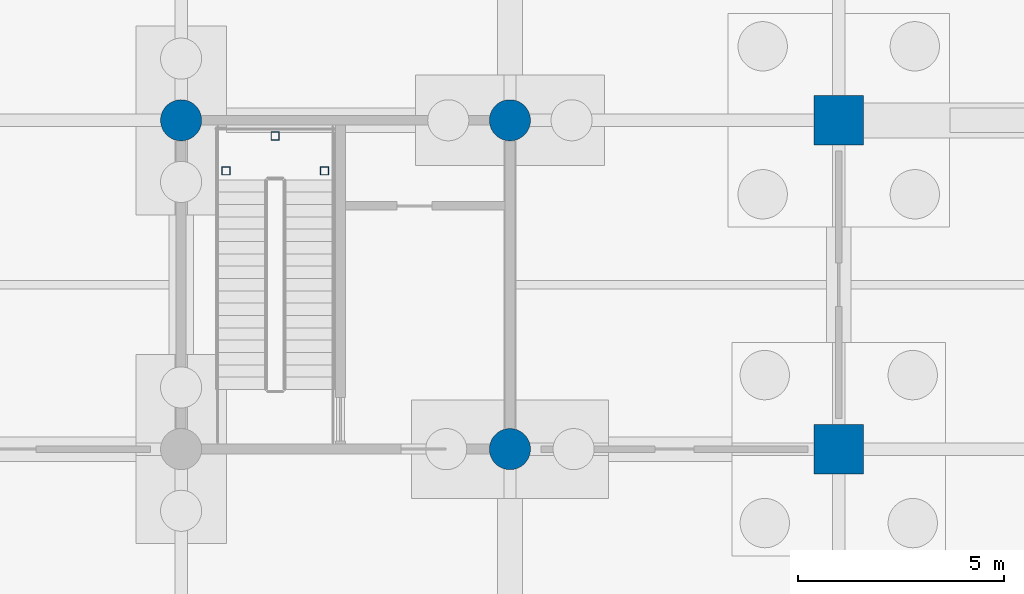
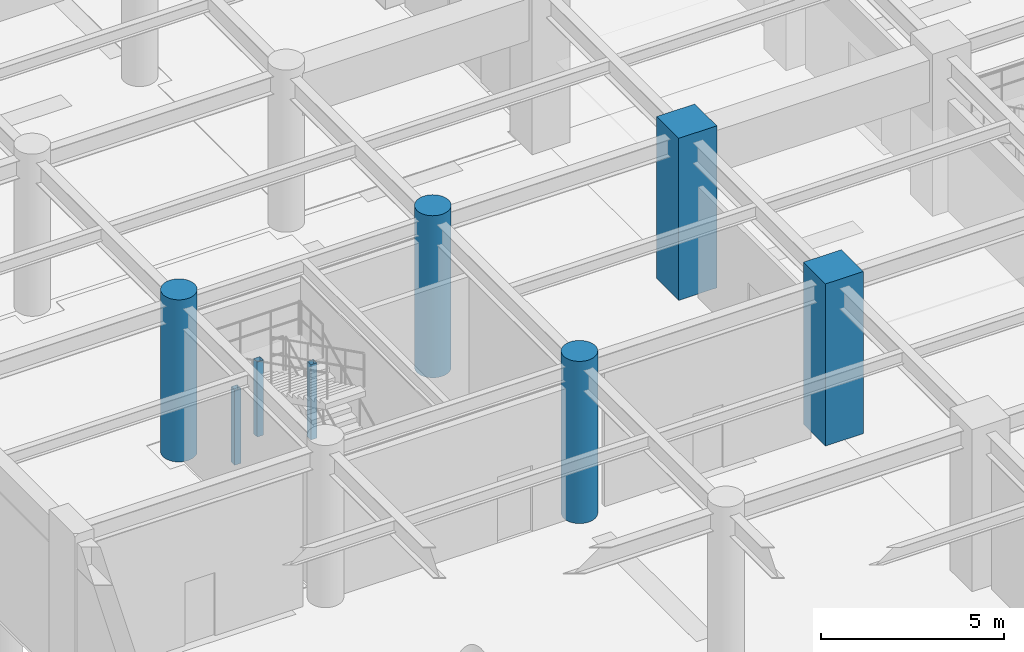
# One storey, part 30 of 97: 8 columns.
"""IFC4 building model written with IfcOpenShell, lengths in metres."""

import ifcopenshell
import ifcopenshell.guid

model = None  # the IFC model being written
_history = None  # IfcOwnerHistory: only IFC2X3 demands one
_inside = {}  # id of a spatial element -> (the spatial element, [elements in it])
_under = {}  # id of a project, library or spatial element -> (it, [spatial elements below it])
_declared = {}  # id of a project -> (the project, [libraries it declares])
_typed = {}  # id of a type object -> (the type object, [elements of that type])
_made_of = {}  # id of a material, layer set ... -> (it, [elements and type objects made of it])


def new_model(schema):
    """Start an empty IFC model of exactly this schema.

    Asked for "IFC4X3", IfcOpenShell would pick the latest addendum, in which some entities
    have other attributes; the version numbers below select the first issue.
    IFC2X3 requires an IfcOwnerHistory on every rooted entity: one is made here for all.
    """
    global model, _history
    if schema == "IFC4X3":
        model = ifcopenshell.file(schema_version=(4, 3, 0, 0))
    else:
        model = ifcopenshell.file(schema=schema)
    _inside.clear()
    _under.clear()
    _declared.clear()
    _typed.clear()
    _made_of.clear()
    _history = None
    if model.schema == "IFC2X3":
        org = make("IfcOrganization", Name="unknown")
        user = make(
            "IfcPersonAndOrganization",
            ThePerson=make("IfcPerson", FamilyName="unknown"),
            TheOrganization=org,
        )
        app = make(
            "IfcApplication",
            ApplicationDeveloper=org,
            Version="unknown",
            ApplicationFullName="unknown",
            ApplicationIdentifier="unknown",
        )
        _history = make(
            "IfcOwnerHistory",
            OwningUser=user,
            OwningApplication=app,
            ChangeAction="ADDED",
            CreationDate=0,
        )
    return model


def make(cls, **values):
    """One entity of the class cls with the attributes given. An attribute that is None is left unset."""
    return model.create_entity(
        cls, **{name: value for name, value in values.items() if value is not None}
    )


def rooted(cls, **values):
    """An entity with a GlobalId (a new one), such as an element, a storey or a relation."""
    return make(cls, GlobalId=ifcopenshell.guid.new(), OwnerHistory=_history, **values)


def si_unit(unit_type, name, prefix=None):
    """IfcSIUnit, for example si_unit("LENGTHUNIT", "METRE", prefix="MILLI")."""
    return make("IfcSIUnit", UnitType=unit_type, Prefix=prefix, Name=name)


def assignment(units):
    """IfcUnitAssignment: the units of a project."""
    return None if units is None else make("IfcUnitAssignment", Units=units)


def point(xyz):
    """IfcCartesianPoint."""
    return None if xyz is None else make("IfcCartesianPoint", Coordinates=xyz)


def direction(xyz):
    """IfcDirection."""
    return None if xyz is None else make("IfcDirection", DirectionRatios=xyz)


def frame(location, z_axis=None, x_axis=None):
    """IfcAxis2Placement3D, a coordinate frame: its origin and axes. An axis left out is left unset."""
    return make(
        "IfcAxis2Placement3D",
        Location=point(location),
        Axis=direction(z_axis),
        RefDirection=direction(x_axis),
    )


def frame_2d(location, x_axis=None):
    """IfcAxis2Placement2D, a coordinate frame in the plane: its origin and x axis."""
    return make(
        "IfcAxis2Placement2D", Location=point(location), RefDirection=direction(x_axis)
    )


def origin():
    """The frame at (0, 0, 0) with its axes left unset."""
    return frame((0.0, 0.0, 0.0))


def origin_2d():
    """The frame at (0, 0) in the plane with its x axis left unset."""
    return frame_2d((0.0, 0.0))


def place(relative_to, where):
    """IfcLocalPlacement: puts the frame where relative to a parent placement (None: the world)."""
    return make(
        "IfcLocalPlacement", PlacementRelTo=relative_to, RelativePlacement=where
    )


def context(
    kind, dimensions, precision=None, world=None, true_north=None, identifier=None
):
    """IfcGeometricRepresentationContext, for example the 3D "Model" context."""
    return make(
        "IfcGeometricRepresentationContext",
        ContextIdentifier=identifier,
        ContextType=kind,
        CoordinateSpaceDimension=dimensions,
        Precision=precision,
        WorldCoordinateSystem=world,
        TrueNorth=true_north,
    )


def subcontext(parent, identifier, kind, view, scale=None):
    """IfcGeometricRepresentationSubContext, for example "Body" below "Model"."""
    return make(
        "IfcGeometricRepresentationSubContext",
        ContextIdentifier=identifier,
        ContextType=kind,
        ParentContext=parent,
        TargetScale=scale,
        TargetView=view,
    )


def project(units=None, contexts=None):
    """IfcProject with its units and contexts."""
    return rooted(
        "IfcProject",
        Name="project",
        RepresentationContexts=contexts,
        UnitsInContext=assignment(units),
    )


def spatial(cls, under=None, at=None, **own):
    """A site, building, storey or space (cls), placed at a placement, below another one or the project."""
    s = rooted(cls, ObjectPlacement=at, **own)
    if under is not None:
        _under.setdefault(under.id(), (under, []))[1].append(s)
    return s


def profile(cls, at=None, kind="AREA", **sizes):
    """A parametric profile (cls). Its sizes go by their IFC names, for example OverallWidth=200.0."""
    return make(cls, ProfileType=kind, Position=at, **sizes)


def rectangle(**sizes):
    """IfcRectangleProfileDef."""
    return profile("IfcRectangleProfileDef", **sizes)


def hollow_rectangle(**sizes):
    """IfcRectangleHollowProfileDef."""
    return profile("IfcRectangleHollowProfileDef", **sizes)


def circle(**sizes):
    """IfcCircleProfileDef."""
    return profile("IfcCircleProfileDef", **sizes)


def extrude(swept, where, along, depth):
    """IfcExtrudedAreaSolid: the profile swept, set in the frame where, extruded along a direction by depth."""
    return make(
        "IfcExtrudedAreaSolid",
        SweptArea=swept,
        Position=where,
        ExtrudedDirection=direction(along),
        Depth=depth,
    )


def shape(context_of_items, identifier, shape_type, items):
    """IfcShapeRepresentation: the items that make up one representation, for example the "Body"."""
    return make(
        "IfcShapeRepresentation",
        ContextOfItems=context_of_items,
        RepresentationIdentifier=identifier,
        RepresentationType=shape_type,
        Items=items,
    )


def material(Name=None, Category=None):
    """IfcMaterial."""
    return make("IfcMaterial", Name=Name, Category=Category)


def material_profile(
    of_material, cross_section, Name=None, Category=None, Priority=None
):
    """IfcMaterialProfile: a cross section and its material."""
    return make(
        "IfcMaterialProfile",
        Name=Name,
        Material=of_material,
        Profile=cross_section,
        Priority=Priority,
        Category=Category,
    )


def profile_set(profiles, Name=None, composite=None):
    """IfcMaterialProfileSet."""
    return make(
        "IfcMaterialProfileSet",
        Name=Name,
        MaterialProfiles=profiles,
        CompositeProfile=composite,
    )


def made_of(thing, what):
    """Note that an element or type object is made of a material, layer set ...; save() writes the relation."""
    if what is not None:
        _made_of.setdefault(what.id(), (what, []))[1].append(thing)
    return thing


def type_object(cls, material=None, **own):
    """A type object (cls), such as IfcWallType, which elements share."""
    return made_of(rooted(cls, **own), material)


def element(
    cls,
    number,
    at=None,
    inside=None,
    cuts=None,
    type_object=None,
    material=None,
    context=None,
    identifier="Body",
    shape_type=None,
    held_by="IfcProductDefinitionShape",
    body=None,
    shapes=None,
    **own,
):
    """One element of the class cls, such as IfcWall. Its Tag is "e" and its number.

    at: its placement. inside: the storey or other place that contains it. cuts: it is an
    opening in that element (IfcRelVoidsElement). A single representation is given by context,
    identifier, shape_type and body (its items); several are given by shapes. held_by: the class
    of the entity that holds the representations. save() writes the other relations.
    """
    e = rooted(cls, Tag="e%d" % number, ObjectPlacement=at, **own)
    if body is not None:
        shapes = [shape(context, identifier, shape_type, body)]
    if shapes is not None:
        e.Representation = make(held_by, Representations=shapes)
    if inside is not None:
        _inside.setdefault(inside.id(), (inside, []))[1].append(e)
    if cuts is not None:
        rooted(
            "IfcRelVoidsElement", RelatingBuildingElement=cuts, RelatedOpeningElement=e
        )
    if type_object is not None:
        _typed.setdefault(type_object.id(), (type_object, []))[1].append(e)
    return made_of(e, material)


def aggregate(whole, parts):
    """IfcRelAggregates: a whole, such as a stair, and the parts it consists of."""
    return rooted("IfcRelAggregates", RelatingObject=whole, RelatedObjects=parts)


def save(model, path):
    """Write the relations noted so far, then the file.

    IfcRelAggregates (storeys below a building ...), IfcRelContainedInSpatialStructure (elements
    in a storey), IfcRelDefinesByType, IfcRelAssociatesMaterial and IfcRelDeclares: one each for
    every whole, place, type object, material and project.
    """
    for whole, parts in _under.values():
        aggregate(whole, parts)
    for where, things in _inside.values():
        rooted(
            "IfcRelContainedInSpatialStructure",
            RelatedElements=things,
            RelatingStructure=where,
        )
    for kind, things in _typed.values():
        rooted("IfcRelDefinesByType", RelatedObjects=things, RelatingType=kind)
    for what, things in _made_of.values():
        rooted("IfcRelAssociatesMaterial", RelatedObjects=things, RelatingMaterial=what)
    for by, libraries in _declared.values():
        rooted("IfcRelDeclares", RelatingContext=by, RelatedDefinitions=libraries)
    model.write(path)


model = new_model("IFC4")

# Units and contexts
model_context = context("Model", 3, precision=1e-05, world=origin(), true_north=direction((0.0, 1.0)))
body_context = subcontext(model_context, "Body", "Model", "MODEL_VIEW")
ifc_project = project(units=[si_unit("LENGTHUNIT", "METRE"), si_unit("AREAUNIT", "SQUARE_METRE"), si_unit("VOLUMEUNIT", "CUBIC_METRE"), si_unit("PLANEANGLEUNIT", "RADIAN"), si_unit("MASSUNIT", "GRAM", prefix="KILO")], contexts=[model_context])

# Site, building, storey
site_placement = place(None, origin())
site = spatial("IfcSite", under=ifc_project, at=site_placement, CompositionType="ELEMENT")
building_placement = place(site_placement, origin())
building = spatial("IfcBuilding", under=site, at=building_placement, Name="Haebicheon Civic Stadium", CompositionType="ELEMENT")
storey_placement = place(building_placement, frame((0.0, 0.0, -5.39990234375)))
storey = spatial("IfcBuildingStorey", under=building, at=storey_placement, Name="B1", CompositionType="ELEMENT", Elevation=-5.39990234375)

# Columns
ifc_material_1 = material(Name="Concrete C40/50", Category="concrete")
ifc_material_profile_1 = material_profile(ifc_material_1, rectangle(XDim=1.199951171875, YDim=1.199951171875, at=origin_2d()), Name="RC-COL-1200x1200")
ifc_profile_set_1 = profile_set([ifc_material_profile_1], Name="Concrete C40/50")
column_type_1 = type_object("IfcColumnType", Name="COL-RC-1200", PredefinedType="COLUMN", material=ifc_profile_set_1)
for number, where, z_axis, x_axis, name in (
    (1, (24.0, 80.0, 0.0), (0.0, 0.0, 1.0), (1.0, 0.0, 0.0), "B1 column 4/L"),
    (2, (24.0, 88.0, 0.0), (0.0, 0.0, 1.0), (1.0, 0.0, 0.0), "B1 column 4/M"),
):
    element("IfcColumn", number, at=place(storey_placement, frame(where, z_axis=z_axis, x_axis=x_axis)), inside=storey, type_object=column_type_1, material=ifc_profile_set_1, Name=name, PredefinedType="COLUMN", context=body_context, shape_type="SweptSolid", body=[
        extrude(rectangle(XDim=1.199951171875, YDim=1.199951171875, at=origin_2d()), origin(), (0.0, 0.0, 1.0), 5.39990234375),
    ])
ifc_material_2 = material(Name="Concrete C40/50", Category="concrete")
ifc_material_profile_2 = material_profile(ifc_material_2, circle(Radius=0.5, at=origin_2d()), Name="RC-COL-D1000")
ifc_profile_set_2 = profile_set([ifc_material_profile_2], Name="Concrete C40/50")
column_type_2 = type_object("IfcColumnType", Name="COL-RC-D1000", PredefinedType="COLUMN", material=ifc_profile_set_2)
for number, where, z_axis, x_axis, name in (
    (3, (8.0, 88.0, 0.0), (0.0, 0.0, 1.0), (1.0, 0.0, 0.0), "B1 column 2/M"),
    (4, (16.0, 80.0, 0.0), (0.0, 0.0, 1.0), (1.0, 0.0, 0.0), "B1 column 3/L"),
    (5, (16.0, 88.0, 0.0), (0.0, 0.0, 1.0), (1.0, 0.0, 0.0), "B1 column 3/M"),
):
    element("IfcColumn", number, at=place(storey_placement, frame(where, z_axis=z_axis, x_axis=x_axis)), inside=storey, type_object=column_type_2, material=ifc_profile_set_2, Name=name, PredefinedType="COLUMN", context=body_context, shape_type="SweptSolid", body=[
        extrude(circle(Radius=0.5, at=origin_2d()), origin(), (0.0, 0.0, 1.0), 5.39990234375),
    ])
ifc_material_3 = material(Name="Steel SM355 (S355)", Category="steel")
ifc_material_profile_3 = material_profile(ifc_material_3, hollow_rectangle(XDim=0.199951171875, YDim=0.199951171875, WallThickness=0.009033203125, at=origin_2d()), Name="RHS-200x200x9.0")
ifc_profile_set_3 = profile_set([ifc_material_profile_3], Name="Steel SM355 (S355)")
column_type_3 = type_object("IfcColumnType", Name="COL-ST-RHS200", PredefinedType="COLUMN", material=ifc_profile_set_3)
for number, where, z_axis, x_axis, name in (
    (6, (9.090087890625, 86.77001953125, 0.0), (0.0, 0.0, 1.0), (1.0, 0.0, 0.0), "KC-15 B1 stair half-landing support post A"),
    (7, (11.489990234375, 86.77001953125, 0.0), (0.0, 0.0, 1.0), (1.0, 0.0, 0.0), "KC-15 B1 stair half-landing support post B"),
    (8, (10.2900390625, 87.6201171875, 0.0), (0.0, 0.0, 1.0), (1.0, 0.0, 0.0), "KC-15 B1 stair half-landing support post C"),
):
    element("IfcColumn", number, at=place(storey_placement, frame(where, z_axis=z_axis, x_axis=x_axis)), inside=storey, type_object=column_type_3, material=ifc_profile_set_3, Name=name, PredefinedType="COLUMN", context=body_context, shape_type="SweptSolid", body=[
        extrude(hollow_rectangle(XDim=0.199951171875, YDim=0.199951171875, WallThickness=0.009033203125, at=origin_2d()), origin(), (0.0, 0.0, 1.0), 2.5),
    ])

save(model, "model.ifc")
